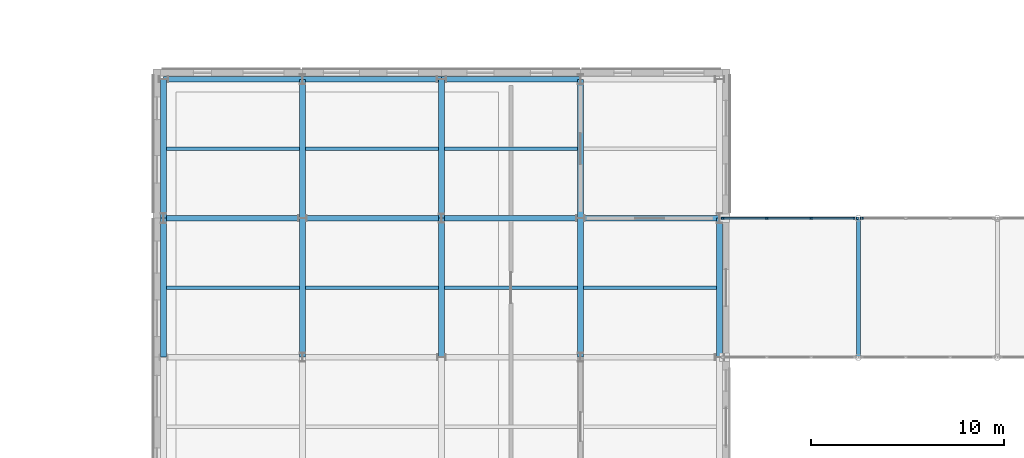
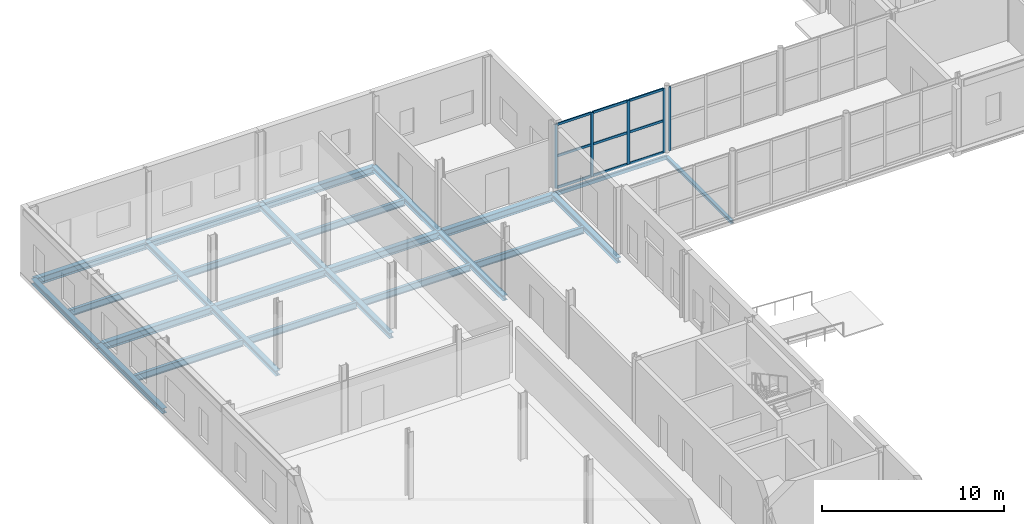
# One storey, part 33 of 92: 25 beams, 14 members, 2 elements without a shape of their own.
"""IFC4 building model written with IfcOpenShell, lengths in metres."""

from ifc_helpers import new_model, si_unit, direction, frame, origin, origin_2d, place, context, subcontext, project, spatial, rectangle, hollow_rectangle, i_section, extrude, material, material_profile, profile_set, type_object, element, aggregate, save


model = new_model("IFC4")

# Units and contexts
model_context = context("Model", 3, precision=1e-05, world=origin(), true_north=direction((0.0, 1.0)))
body_context = subcontext(model_context, "Body", "Model", "MODEL_VIEW")
ifc_project = project(units=[si_unit("LENGTHUNIT", "METRE"), si_unit("AREAUNIT", "SQUARE_METRE"), si_unit("VOLUMEUNIT", "CUBIC_METRE"), si_unit("PLANEANGLEUNIT", "RADIAN"), si_unit("MASSUNIT", "GRAM", prefix="KILO")], contexts=[model_context])

# Site, building, storey
site_placement = place(None, origin())
site = spatial("IfcSite", under=ifc_project, at=site_placement, CompositionType="ELEMENT")
building_placement = place(site_placement, origin())
building = spatial("IfcBuilding", under=site, at=building_placement, Name="Zlatovets Crest Museum", CompositionType="ELEMENT")
storey_placement = place(building_placement, origin())
storey = spatial("IfcBuildingStorey", under=building, at=storey_placement, Name="L00", CompositionType="ELEMENT", Elevation=0.0)

# Beams
ifc_material_1 = material(Name="Structural steel S355J2", Category="steel")
ifc_material_profile_1 = material_profile(ifc_material_1, i_section(OverallWidth=0.300048828125, OverallDepth=0.489990234375, WebThickness=0.011962890625, FlangeThickness=0.02294921875, FilletRadius=0.027099609375, at=origin_2d()), Name="HEA 500")
ifc_profile_set_1 = profile_set([ifc_material_profile_1], Name="Structural steel S355J2")
beam_type_1 = type_object("IfcBeamType", Name="Beam_B-01", PredefinedType="BEAM", material=ifc_profile_set_1)
beam_1_placement = place(storey_placement, frame((7.199951171875, 93.60009765625, -0.4951171875), z_axis=(1.0, 0.0, 0.0), x_axis=(0.0, 1.0, 0.0)))
element("IfcBeam", 1, at=beam_1_placement, inside=storey, type_object=beam_type_1, Name="V4 L00 Primary Girder B-01", PredefinedType="BEAM", context=body_context, shape_type="SweptSolid", body=[
    extrude(i_section(OverallWidth=0.300048828125, OverallDepth=0.489990234375, WebThickness=0.011962890625, FlangeThickness=0.02294921875, FilletRadius=0.027099609375, at=origin_2d()), origin(), (0.0, 0.0, 1.0), 7.199951171875),
])
beam_2_placement = place(storey_placement, frame((14.39990234375, 93.60009765625, -0.4951171875), z_axis=(1.0, 0.0, 0.0), x_axis=(0.0, 1.0, 0.0)))
element("IfcBeam", 2, at=beam_2_placement, inside=storey, type_object=beam_type_1, Name="V4 L00 Primary Girder B-01", PredefinedType="BEAM", context=body_context, shape_type="SweptSolid", body=[
    extrude(i_section(OverallWidth=0.300048828125, OverallDepth=0.489990234375, WebThickness=0.011962890625, FlangeThickness=0.02294921875, FilletRadius=0.027099609375, at=origin_2d()), origin(), (0.0, 0.0, 1.0), 7.2001953125),
])
for number, where, z_axis, x_axis, name in (
    (3, (21.60009765625, 93.60009765625, -0.4951171875), (1.0, 0.0, 0.0), (0.0, 1.0, 0.0), "V4 L00 Primary Girder B-01"),
    (4, (28.800048828125, 93.60009765625, -0.4951171875), (1.0, 0.0, 0.0), (0.0, 1.0, 0.0), "V4 L00 Primary Girder B-01"),
    (5, (7.199951171875, 100.800048828125, -0.4951171875), (1.0, 0.0, 0.0), (0.0, 1.0, 0.0), "V4 L00 Primary Girder B-01"),
):
    element("IfcBeam", number, at=place(storey_placement, frame(where, z_axis=z_axis, x_axis=x_axis)), inside=storey, type_object=beam_type_1, Name=name, PredefinedType="BEAM", context=body_context, shape_type="SweptSolid", body=[
        extrude(i_section(OverallWidth=0.300048828125, OverallDepth=0.489990234375, WebThickness=0.011962890625, FlangeThickness=0.02294921875, FilletRadius=0.027099609375, at=origin_2d()), origin(), (0.0, 0.0, 1.0), 7.199951171875),
    ])
beam_3_placement = place(storey_placement, frame((14.39990234375, 100.800048828125, -0.4951171875), z_axis=(1.0, 0.0, 0.0), x_axis=(0.0, 1.0, 0.0)))
element("IfcBeam", 6, at=beam_3_placement, inside=storey, type_object=beam_type_1, Name="V4 L00 Primary Girder B-01", PredefinedType="BEAM", context=body_context, shape_type="SweptSolid", body=[
    extrude(i_section(OverallWidth=0.300048828125, OverallDepth=0.489990234375, WebThickness=0.011962890625, FlangeThickness=0.02294921875, FilletRadius=0.027099609375, at=origin_2d()), origin(), (0.0, 0.0, 1.0), 7.2001953125),
])
beam_4_placement = place(storey_placement, frame((21.60009765625, 100.800048828125, -0.4951171875), z_axis=(1.0, 0.0, 0.0), x_axis=(0.0, 1.0, 0.0)))
element("IfcBeam", 7, at=beam_4_placement, inside=storey, type_object=beam_type_1, Name="V4 L00 Primary Girder B-01", PredefinedType="BEAM", context=body_context, shape_type="SweptSolid", body=[
    extrude(i_section(OverallWidth=0.300048828125, OverallDepth=0.489990234375, WebThickness=0.011962890625, FlangeThickness=0.02294921875, FilletRadius=0.027099609375, at=origin_2d()), origin(), (0.0, 0.0, 1.0), 7.199951171875),
])
ifc_material_profile_2 = material_profile(ifc_material_1, i_section(OverallWidth=0.300048828125, OverallDepth=0.35009765625, WebThickness=0.010009765625, FlangeThickness=0.017578125, FilletRadius=0.027099609375, at=origin_2d()), Name="HEA 360")
ifc_profile_set_2 = profile_set([ifc_material_profile_2], Name="Structural steel S355J2")
beam_type_2 = type_object("IfcBeamType", Name="Beam_B-03", PredefinedType="BEAM", material=ifc_profile_set_2)
beam_5_placement = place(storey_placement, frame((7.199951171875, 86.39990234375, -0.425048828125), z_axis=(0.0, 1.0, 0.0), x_axis=(-1.0, 0.0, 0.0)))
element("IfcBeam", 8, at=beam_5_placement, inside=storey, type_object=beam_type_2, Name="V4 L00 Grid Beam B-03", PredefinedType="BEAM", context=body_context, shape_type="SweptSolid", body=[
    extrude(i_section(OverallWidth=0.300048828125, OverallDepth=0.35009765625, WebThickness=0.010009765625, FlangeThickness=0.017578125, FilletRadius=0.027099609375, at=origin_2d()), origin(), (0.0, 0.0, 1.0), 7.2001953125),
])
beam_6_placement = place(storey_placement, frame((7.199951171875, 93.60009765625, -0.425048828125), z_axis=(0.0, 1.0, 0.0), x_axis=(-1.0, 0.0, 0.0)))
element("IfcBeam", 9, at=beam_6_placement, inside=storey, type_object=beam_type_2, Name="V4 L00 Grid Beam B-03", PredefinedType="BEAM", context=body_context, shape_type="SweptSolid", body=[
    extrude(i_section(OverallWidth=0.300048828125, OverallDepth=0.35009765625, WebThickness=0.010009765625, FlangeThickness=0.017578125, FilletRadius=0.027099609375, at=origin_2d()), origin(), (0.0, 0.0, 1.0), 7.199951171875),
])
beam_7_placement = place(storey_placement, frame((14.39990234375, 86.39990234375, -0.425048828125), z_axis=(0.0, 1.0, 0.0), x_axis=(-1.0, 0.0, 0.0)))
element("IfcBeam", 10, at=beam_7_placement, inside=storey, type_object=beam_type_2, Name="V4 L00 Grid Beam B-03", PredefinedType="BEAM", context=body_context, shape_type="SweptSolid", body=[
    extrude(i_section(OverallWidth=0.300048828125, OverallDepth=0.35009765625, WebThickness=0.010009765625, FlangeThickness=0.017578125, FilletRadius=0.027099609375, at=origin_2d()), origin(), (0.0, 0.0, 1.0), 7.2001953125),
])
beam_8_placement = place(storey_placement, frame((14.39990234375, 93.60009765625, -0.425048828125), z_axis=(0.0, 1.0, 0.0), x_axis=(-1.0, 0.0, 0.0)))
element("IfcBeam", 11, at=beam_8_placement, inside=storey, type_object=beam_type_2, Name="V4 L00 Grid Beam B-03", PredefinedType="BEAM", context=body_context, shape_type="SweptSolid", body=[
    extrude(i_section(OverallWidth=0.300048828125, OverallDepth=0.35009765625, WebThickness=0.010009765625, FlangeThickness=0.017578125, FilletRadius=0.027099609375, at=origin_2d()), origin(), (0.0, 0.0, 1.0), 7.199951171875),
])
beam_9_placement = place(storey_placement, frame((21.60009765625, 86.39990234375, -0.425048828125), z_axis=(0.0, 1.0, 0.0), x_axis=(-1.0, 0.0, 0.0)))
element("IfcBeam", 12, at=beam_9_placement, inside=storey, type_object=beam_type_2, Name="V4 L00 Grid Beam B-03", PredefinedType="BEAM", context=body_context, shape_type="SweptSolid", body=[
    extrude(i_section(OverallWidth=0.300048828125, OverallDepth=0.35009765625, WebThickness=0.010009765625, FlangeThickness=0.017578125, FilletRadius=0.027099609375, at=origin_2d()), origin(), (0.0, 0.0, 1.0), 7.2001953125),
])
beam_10_placement = place(storey_placement, frame((21.60009765625, 93.60009765625, -0.425048828125), z_axis=(0.0, 1.0, 0.0), x_axis=(-1.0, 0.0, 0.0)))
element("IfcBeam", 13, at=beam_10_placement, inside=storey, type_object=beam_type_2, Name="V4 L00 Grid Beam B-03", PredefinedType="BEAM", context=body_context, shape_type="SweptSolid", body=[
    extrude(i_section(OverallWidth=0.300048828125, OverallDepth=0.35009765625, WebThickness=0.010009765625, FlangeThickness=0.017578125, FilletRadius=0.027099609375, at=origin_2d()), origin(), (0.0, 0.0, 1.0), 7.199951171875),
])
beam_11_placement = place(storey_placement, frame((28.800048828125, 86.39990234375, -0.425048828125), z_axis=(0.0, 1.0, 0.0), x_axis=(-1.0, 0.0, 0.0)))
element("IfcBeam", 14, at=beam_11_placement, inside=storey, type_object=beam_type_2, Name="V4 L00 Grid Beam B-03", PredefinedType="BEAM", context=body_context, shape_type="SweptSolid", body=[
    extrude(i_section(OverallWidth=0.300048828125, OverallDepth=0.35009765625, WebThickness=0.010009765625, FlangeThickness=0.017578125, FilletRadius=0.027099609375, at=origin_2d()), origin(), (0.0, 0.0, 1.0), 7.2001953125),
])
beam_12_placement = place(storey_placement, frame((28.800048828125, 93.60009765625, -0.425048828125), z_axis=(0.0, 1.0, 0.0), x_axis=(-1.0, 0.0, 0.0)))
element("IfcBeam", 15, at=beam_12_placement, inside=storey, type_object=beam_type_2, Name="V4 L00 Grid Beam B-03", PredefinedType="BEAM", context=body_context, shape_type="SweptSolid", body=[
    extrude(i_section(OverallWidth=0.300048828125, OverallDepth=0.35009765625, WebThickness=0.010009765625, FlangeThickness=0.017578125, FilletRadius=0.027099609375, at=origin_2d()), origin(), (0.0, 0.0, 1.0), 7.199951171875),
])
beam_13_placement = place(storey_placement, frame((36.0, 86.39990234375, -0.425048828125), z_axis=(0.0, 1.0, 0.0), x_axis=(-1.0, 0.0, 0.0)))
element("IfcBeam", 16, at=beam_13_placement, inside=storey, type_object=beam_type_2, Name="V4 L00 Grid Beam B-03", PredefinedType="BEAM", context=body_context, shape_type="SweptSolid", body=[
    extrude(i_section(OverallWidth=0.300048828125, OverallDepth=0.35009765625, WebThickness=0.010009765625, FlangeThickness=0.017578125, FilletRadius=0.027099609375, at=origin_2d()), origin(), (0.0, 0.0, 1.0), 7.2001953125),
])
ifc_material_profile_3 = material_profile(ifc_material_1, i_section(OverallWidth=0.199951171875, OverallDepth=0.18994140625, WebThickness=0.006591796875, FlangeThickness=0.010009765625, FilletRadius=0.01806640625, at=origin_2d()), Name="HEA 200")
ifc_profile_set_3 = profile_set([ifc_material_profile_3], Name="Structural steel S355J2")
beam_type_3 = type_object("IfcBeamType", Name="Beam_B-15", PredefinedType="BEAM", material=ifc_profile_set_3)
beam_14_placement = place(storey_placement, frame((43.199951171875, 86.39990234375, -0.375), z_axis=(0.0, 1.0, 0.0), x_axis=(-1.0, 0.0, 0.0)))
element("IfcBeam", 17, at=beam_14_placement, inside=storey, type_object=beam_type_3, Name="Northwest Crest Glazed Link Bridge L00 Cross Beam", PredefinedType="BEAM", context=body_context, shape_type="SweptSolid", body=[
    extrude(i_section(OverallWidth=0.199951171875, OverallDepth=0.18994140625, WebThickness=0.006591796875, FlangeThickness=0.010009765625, FilletRadius=0.01806640625, at=origin_2d()), origin(), (0.0, 0.0, 1.0), 7.2001953125),
])
ifc_material_profile_4 = material_profile(ifc_material_1, hollow_rectangle(XDim=0.14990234375, YDim=0.25, WallThickness=0.010009765625, InnerFilletRadius=0.010009765625, OuterFilletRadius=0.02001953125, at=origin_2d()), Name="RHS 150x250x10.0")
ifc_profile_set_4 = profile_set([ifc_material_profile_4], Name="Structural steel S355J2")
beam_type_4 = type_object("IfcBeamType", Name="Beam_BRG-03", PredefinedType="BEAM", material=ifc_profile_set_4)
beam_15_placement = place(storey_placement, frame((36.0, 93.60009765625, -0.375), z_axis=(1.0, 0.0, 0.0), x_axis=(0.0, 1.0, 0.0)))
element("IfcBeam", 18, at=beam_15_placement, inside=storey, type_object=beam_type_4, Name="Northwest Crest Glazed Link Bridge L00 Stringer Beam", PredefinedType="BEAM", context=body_context, shape_type="SweptSolid", body=[
    extrude(hollow_rectangle(XDim=0.14990234375, YDim=0.25, WallThickness=0.010009765625, InnerFilletRadius=0.010009765625, OuterFilletRadius=0.02001953125, at=origin_2d()), origin(), (0.0, 0.0, 1.0), 7.199951171875),
])
ifc_material_profile_5 = material_profile(ifc_material_1, i_section(OverallWidth=0.18994140625, OverallDepth=0.449951171875, WebThickness=0.009521484375, FlangeThickness=0.0146484375, FilletRadius=0.02099609375, at=origin_2d()), Name="IPE 450")
ifc_profile_set_5 = profile_set([ifc_material_profile_5], Name="Structural steel S355J2")
beam_type_5 = type_object("IfcBeamType", Name="Beam_J-05", PredefinedType="JOIST", material=ifc_profile_set_5)
for number, where, z_axis, x_axis, name in (
    (19, (7.35009765625, 90.0, -0.47509765625), (1.0, 0.0, 0.0), (0.0, 1.0, 0.0), "V4 L00 Composite Joist J-05"),
    (20, (7.35009765625, 97.199951171875, -0.47509765625), (1.0, 0.0, 0.0), (0.0, 1.0, 0.0), "V4 L00 Composite Joist J-05"),
    (21, (14.550048828125, 90.0, -0.47509765625), (1.0, 0.0, 0.0), (0.0, 1.0, 0.0), "V4 L00 Composite Joist J-05"),
    (22, (14.550048828125, 97.199951171875, -0.47509765625), (1.0, 0.0, 0.0), (0.0, 1.0, 0.0), "V4 L00 Composite Joist J-05"),
    (23, (21.75, 90.0, -0.47509765625), (1.0, 0.0, 0.0), (0.0, 1.0, 0.0), "V4 L00 Composite Joist J-05"),
    (24, (21.75, 97.199951171875, -0.47509765625), (1.0, 0.0, 0.0), (0.0, 1.0, 0.0), "V4 L00 Composite Joist J-05"),
):
    element("IfcBeam", number, at=place(storey_placement, frame(where, z_axis=z_axis, x_axis=x_axis)), inside=storey, type_object=beam_type_5, Name=name, PredefinedType="JOIST", context=body_context, shape_type="SweptSolid", body=[
        extrude(i_section(OverallWidth=0.18994140625, OverallDepth=0.449951171875, WebThickness=0.009521484375, FlangeThickness=0.0146484375, FilletRadius=0.02099609375, at=origin_2d()), origin(), (0.0, 0.0, 1.0), 6.89990234375),
    ])
beam_16_placement = place(storey_placement, frame((28.949951171875, 90.0, -0.47509765625), z_axis=(1.0, 0.0, 0.0), x_axis=(0.0, 1.0, 0.0)))
element("IfcBeam", 25, at=beam_16_placement, inside=storey, type_object=beam_type_5, Name="V4 L00 Composite Joist J-05", PredefinedType="JOIST", context=body_context, shape_type="SweptSolid", body=[
    extrude(i_section(OverallWidth=0.18994140625, OverallDepth=0.449951171875, WebThickness=0.009521484375, FlangeThickness=0.0146484375, FilletRadius=0.02099609375, at=origin_2d()), origin(), (0.0, 0.0, 1.0), 6.900146484375),
])

# Curtain wall, members
ifc_material_2 = material(Name="Bronze-anodised aluminium and low-E triple glass", Category="aluminium")
curtain_wall_type = type_object("IfcCurtainWallType", Name="CW_CW-BR3-L00-S69", PredefinedType="NOTDEFINED", material=ifc_material_2)
curtain_wall_1_placement = place(storey_placement, origin())
curtain_wall_1 = element("IfcCurtainWall", 26, at=curtain_wall_1_placement, inside=storey, type_object=curtain_wall_type, Name="Northwest Crest Glazed Link Bridge L00 Glazed Bridge Curtain Wall", PredefinedType="NOTDEFINED")
ifc_material_3 = material(Name="Bronze-anodised aluminium EN AW-6060", Category="aluminium")
ifc_material_profile_6 = material_profile(ifc_material_3, rectangle(XDim=0.080078125, YDim=0.159912109375, at=origin_2d()), Name="ALU 80x160")
ifc_profile_set_6 = profile_set([ifc_material_profile_6], Name="Bronze-anodised aluminium EN AW-6060")
member_type_1 = type_object("IfcMemberType", Name="CWMull_M1", PredefinedType="MULLION", material=ifc_profile_set_6)
member_1_placement = place(storey_placement, frame((36.179931640625, 93.60009765625, 0.0), z_axis=(0.0, 0.0, 1.0), x_axis=(0.0, 1.0, 0.0)))
member_1 = element("IfcMember", 27, at=member_1_placement, type_object=member_type_1, Name="CW-BR3-L00-S69 mullion 1", PredefinedType="MULLION", context=body_context, shape_type="SweptSolid", body=[
    extrude(rectangle(XDim=0.080078125, YDim=0.159912109375, at=origin_2d()), origin(), (0.0, 0.0, 1.0), 4.280029296875),
])
member_2_placement = place(storey_placement, frame((38.449951171875, 93.60009765625, 0.0), z_axis=(0.0, 0.0, 1.0), x_axis=(0.0, 1.0, 0.0)))
member_2 = element("IfcMember", 28, at=member_2_placement, type_object=member_type_1, Name="CW-BR3-L00-S69 mullion 2", PredefinedType="MULLION", context=body_context, shape_type="SweptSolid", body=[
    extrude(rectangle(XDim=0.080078125, YDim=0.159912109375, at=origin_2d()), origin(), (0.0, 0.0, 1.0), 4.280029296875),
])
member_3_placement = place(storey_placement, frame((40.75, 93.60009765625, 0.0), z_axis=(0.0, 0.0, 1.0), x_axis=(0.0, 1.0, 0.0)))
member_3 = element("IfcMember", 29, at=member_3_placement, type_object=member_type_1, Name="CW-BR3-L00-S69 mullion 3", PredefinedType="MULLION", context=body_context, shape_type="SweptSolid", body=[
    extrude(rectangle(XDim=0.080078125, YDim=0.159912109375, at=origin_2d()), origin(), (0.0, 0.0, 1.0), 4.280029296875),
])
member_4_placement = place(storey_placement, frame((43.02001953125, 93.60009765625, 0.0), z_axis=(0.0, 0.0, 1.0), x_axis=(0.0, 1.0, 0.0)))
member_4 = element("IfcMember", 30, at=member_4_placement, type_object=member_type_1, Name="CW-BR3-L00-S69 mullion 4", PredefinedType="MULLION", context=body_context, shape_type="SweptSolid", body=[
    extrude(rectangle(XDim=0.080078125, YDim=0.159912109375, at=origin_2d()), origin(), (0.0, 0.0, 1.0), 4.280029296875),
])

# Curtain wall, member
curtain_wall_2_placement = place(storey_placement, origin())
curtain_wall_2 = element("IfcCurtainWall", 31, at=curtain_wall_2_placement, inside=storey, type_object=curtain_wall_type, Name="Northwest Crest Glazed Link Bridge L00 Glazed Bridge Curtain Wall", PredefinedType="NOTDEFINED")
member_5_placement = place(storey_placement, frame((43.3798828125, 93.60009765625, 0.0), z_axis=(0.0, 0.0, 1.0), x_axis=(0.0, 1.0, 0.0)))
member_5 = element("IfcMember", 32, at=member_5_placement, type_object=member_type_1, Name="CW-BR3-L00-S69 mullion 1", PredefinedType="MULLION", context=body_context, shape_type="SweptSolid", body=[
    extrude(rectangle(XDim=0.080078125, YDim=0.159912109375, at=origin_2d()), origin(), (0.0, 0.0, 1.0), 4.280029296875),
])
aggregate(curtain_wall_2, [member_5])

# Member
ifc_material_profile_7 = material_profile(ifc_material_3, rectangle(XDim=0.080078125, YDim=0.159912109375, at=origin_2d()), Name="ALU 80x160")
ifc_profile_set_7 = profile_set([ifc_material_profile_7], Name="Bronze-anodised aluminium EN AW-6060")
member_type_2 = type_object("IfcMemberType", Name="CWTrans_T1", PredefinedType="USERDEFINED", material=ifc_profile_set_7)
member_6_placement = place(storey_placement, frame((36.2099609375, 93.60009765625, 0.030029296875), z_axis=(1.0, 0.0, 0.0), x_axis=(0.0, 1.0, 0.0)))
member_6 = element("IfcMember", 33, at=member_6_placement, type_object=member_type_2, Name="CW-BR3-L00-S69 transom 1.1", ObjectType="TRANSOM", PredefinedType="USERDEFINED", context=body_context, shape_type="SweptSolid", body=[
    extrude(rectangle(XDim=0.080078125, YDim=0.159912109375, at=origin_2d()), origin(), (0.0, 0.0, 1.0), 2.2099609375),
])

member_7_placement = place(storey_placement, frame((36.2099609375, 93.60009765625, 2.139892578125), z_axis=(1.0, 0.0, 0.0), x_axis=(0.0, 1.0, 0.0)))
member_7 = element("IfcMember", 34, at=member_7_placement, type_object=member_type_2, Name="CW-BR3-L00-S69 transom 1.2", ObjectType="TRANSOM", PredefinedType="USERDEFINED", context=body_context, shape_type="SweptSolid", body=[
    extrude(rectangle(XDim=0.080078125, YDim=0.159912109375, at=origin_2d()), origin(), (0.0, 0.0, 1.0), 2.2099609375),
])

member_8_placement = place(storey_placement, frame((36.2099609375, 93.60009765625, 4.25), z_axis=(1.0, 0.0, 0.0), x_axis=(0.0, 1.0, 0.0)))
member_8 = element("IfcMember", 35, at=member_8_placement, type_object=member_type_2, Name="CW-BR3-L00-S69 transom 1.3", ObjectType="TRANSOM", PredefinedType="USERDEFINED", context=body_context, shape_type="SweptSolid", body=[
    extrude(rectangle(XDim=0.080078125, YDim=0.159912109375, at=origin_2d()), origin(), (0.0, 0.0, 1.0), 2.2099609375),
])

member_9_placement = place(storey_placement, frame((38.47998046875, 93.60009765625, 0.030029296875), z_axis=(1.0, 0.0, 0.0), x_axis=(0.0, 1.0, 0.0)))
member_9 = element("IfcMember", 36, at=member_9_placement, type_object=member_type_2, Name="CW-BR3-L00-S69 transom 2.1", ObjectType="TRANSOM", PredefinedType="USERDEFINED", context=body_context, shape_type="SweptSolid", body=[
    extrude(rectangle(XDim=0.080078125, YDim=0.159912109375, at=origin_2d()), origin(), (0.0, 0.0, 1.0), 2.239990234375),
])

member_10_placement = place(storey_placement, frame((38.47998046875, 93.60009765625, 2.139892578125), z_axis=(1.0, 0.0, 0.0), x_axis=(0.0, 1.0, 0.0)))
member_10 = element("IfcMember", 37, at=member_10_placement, type_object=member_type_2, Name="CW-BR3-L00-S69 transom 2.2", ObjectType="TRANSOM", PredefinedType="USERDEFINED", context=body_context, shape_type="SweptSolid", body=[
    extrude(rectangle(XDim=0.080078125, YDim=0.159912109375, at=origin_2d()), origin(), (0.0, 0.0, 1.0), 2.239990234375),
])

member_11_placement = place(storey_placement, frame((38.47998046875, 93.60009765625, 4.25), z_axis=(1.0, 0.0, 0.0), x_axis=(0.0, 1.0, 0.0)))
member_11 = element("IfcMember", 38, at=member_11_placement, type_object=member_type_2, Name="CW-BR3-L00-S69 transom 2.3", ObjectType="TRANSOM", PredefinedType="USERDEFINED", context=body_context, shape_type="SweptSolid", body=[
    extrude(rectangle(XDim=0.080078125, YDim=0.159912109375, at=origin_2d()), origin(), (0.0, 0.0, 1.0), 2.239990234375),
])

member_12_placement = place(storey_placement, frame((40.780029296875, 93.60009765625, 0.030029296875), z_axis=(1.0, 0.0, 0.0), x_axis=(0.0, 1.0, 0.0)))
member_12 = element("IfcMember", 39, at=member_12_placement, type_object=member_type_2, Name="CW-BR3-L00-S69 transom 3.1", ObjectType="TRANSOM", PredefinedType="USERDEFINED", context=body_context, shape_type="SweptSolid", body=[
    extrude(rectangle(XDim=0.080078125, YDim=0.159912109375, at=origin_2d()), origin(), (0.0, 0.0, 1.0), 2.2099609375),
])

member_13_placement = place(storey_placement, frame((40.780029296875, 93.60009765625, 2.139892578125), z_axis=(1.0, 0.0, 0.0), x_axis=(0.0, 1.0, 0.0)))
member_13 = element("IfcMember", 40, at=member_13_placement, type_object=member_type_2, Name="CW-BR3-L00-S69 transom 3.2", ObjectType="TRANSOM", PredefinedType="USERDEFINED", context=body_context, shape_type="SweptSolid", body=[
    extrude(rectangle(XDim=0.080078125, YDim=0.159912109375, at=origin_2d()), origin(), (0.0, 0.0, 1.0), 2.2099609375),
])

member_14_placement = place(storey_placement, frame((40.780029296875, 93.60009765625, 4.25), z_axis=(1.0, 0.0, 0.0), x_axis=(0.0, 1.0, 0.0)))
member_14 = element("IfcMember", 41, at=member_14_placement, type_object=member_type_2, Name="CW-BR3-L00-S69 transom 3.3", ObjectType="TRANSOM", PredefinedType="USERDEFINED", context=body_context, shape_type="SweptSolid", body=[
    extrude(rectangle(XDim=0.080078125, YDim=0.159912109375, at=origin_2d()), origin(), (0.0, 0.0, 1.0), 2.2099609375),
])

aggregate(curtain_wall_1, [member_1, member_2, member_3, member_4, member_6, member_7, member_8, member_9, member_10, member_11, member_12, member_13, member_14])

save(model, "model.ifc")
